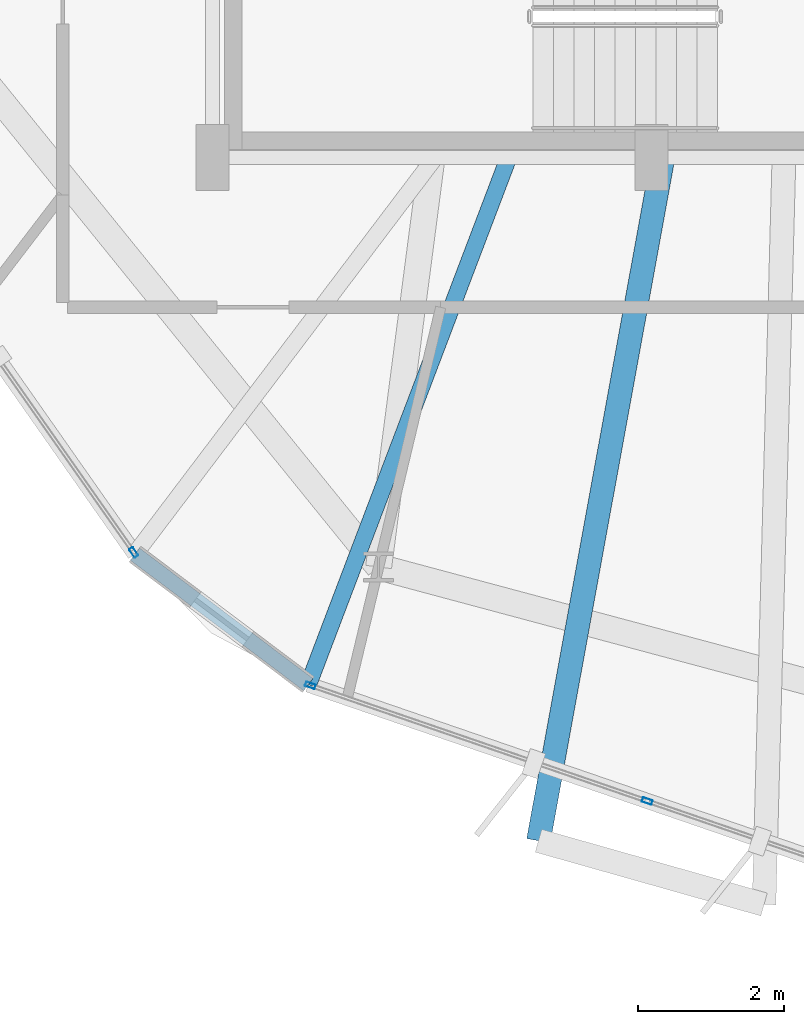
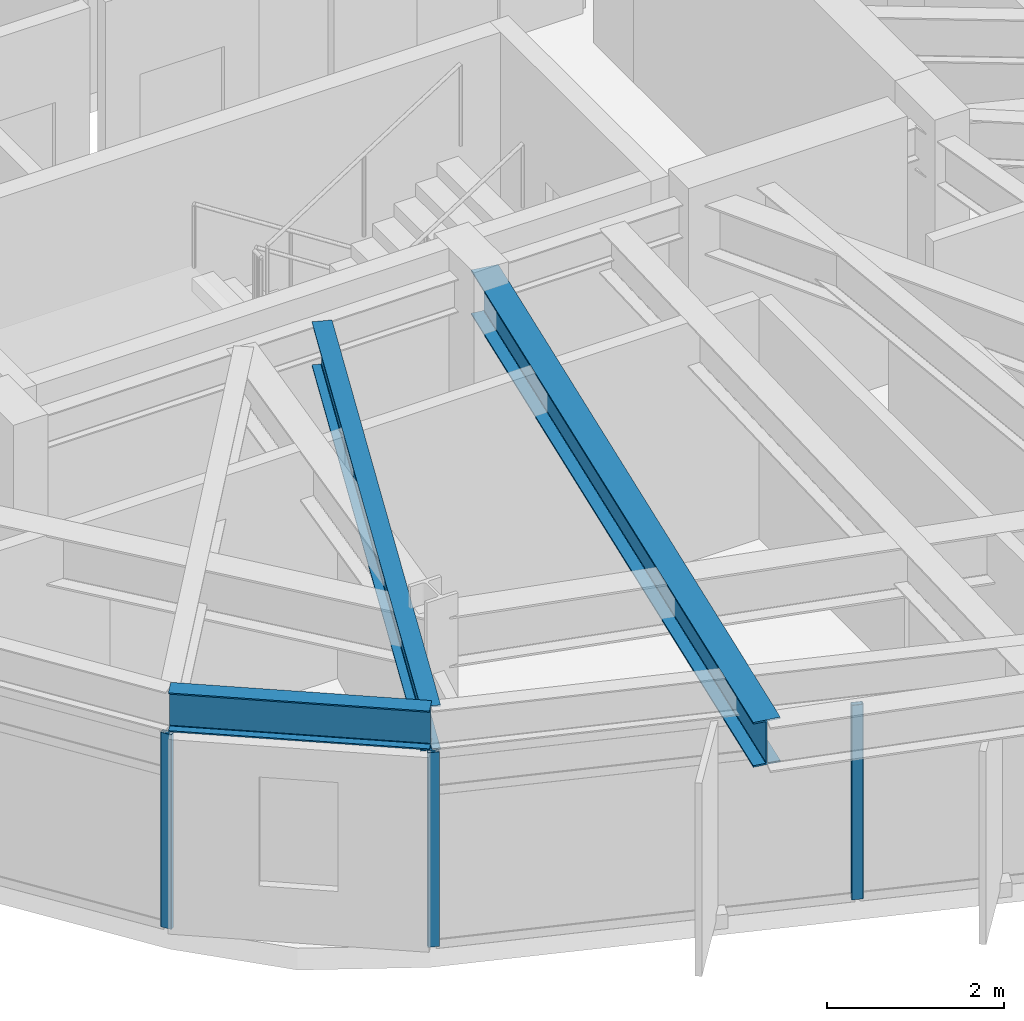
# One storey, part 2 of 29: 3 beams, 3 members, 2 elements without a shape of their own.
"""IFC4 building model written with IfcOpenShell, lengths in metres."""

from ifc_helpers import new_model, si_unit, direction, frame, origin, origin_2d, place, context, subcontext, project, spatial, hollow_rectangle, i_section, extrude, material, layer, layer_set, material_profile, profile_set, type_object, element, aggregate, save


model = new_model("IFC4")

# Units and contexts
model_context = context("Model", 3, precision=1e-05, world=origin(), true_north=direction((0.0, 1.0)))
body_context = subcontext(model_context, "Body", "Model", "MODEL_VIEW")
ifc_project = project(units=[si_unit("LENGTHUNIT", "METRE"), si_unit("AREAUNIT", "SQUARE_METRE"), si_unit("VOLUMEUNIT", "CUBIC_METRE"), si_unit("PLANEANGLEUNIT", "RADIAN"), si_unit("MASSUNIT", "GRAM", prefix="KILO")], contexts=[model_context])

# Site, building, storey
site_placement = place(None, origin())
site = spatial("IfcSite", under=ifc_project, at=site_placement, CompositionType="ELEMENT")
building_placement = place(site_placement, origin())
building = spatial("IfcBuilding", under=site, at=building_placement, Name="Soratama Intermodal Tower", CompositionType="ELEMENT")
storey_placement = place(building_placement, frame((0.0, 0.0, 226.60009765625)))
storey = spatial("IfcBuildingStorey", under=building, at=storey_placement, Name="L57", CompositionType="ELEMENT", Elevation=226.60009765625)

# Beams
ifc_material_1 = material(Name="Structural steel ASTM A992 Grade 50", Category="steel")
ifc_material_profile_1 = material_profile(ifc_material_1, i_section(OverallWidth=0.324951171875, OverallDepth=0.615966796875, WebThickness=0.013916015625, FlangeThickness=0.021484375, FilletRadius=0.013916015625, at=origin_2d()), Name="W24X117")
ifc_profile_set_1 = profile_set([ifc_material_profile_1], Name="Structural steel ASTM A992 Grade 50")
beam_type_1 = type_object("IfcBeamType", Name="BM-CANT-W24X117", PredefinedType="BEAM", material=ifc_profile_set_1)
beam_1_placement = place(storey_placement, frame((38.7509765625, 14.9609375, 2.991943359375), z_axis=(-0.179373937077, -0.98378096683, 0.0), x_axis=(0.98378096683, -0.179373937077, 0.0)))
element("IfcBeam", 1, at=beam_1_placement, inside=storey, type_object=beam_type_1, Name="BM-L57-CANT-3-1", PredefinedType="BEAM", context=body_context, shape_type="SweptSolid", body=[
    extrude(i_section(OverallWidth=0.324951171875, OverallDepth=0.615966796875, WebThickness=0.013916015625, FlangeThickness=0.021484375, FilletRadius=0.013916015625, at=origin_2d()), origin(), (0.0, 0.0, 1.0), 9.455322265625),
])
ifc_material_2 = material(Name="Structural steel ASTM A992 Grade 50", Category="steel")
ifc_material_profile_2 = material_profile(ifc_material_2, i_section(OverallWidth=0.2099609375, OverallDepth=0.537109375, WebThickness=0.010986328125, FlangeThickness=0.017333984375, FilletRadius=0.012939453125, at=origin_2d()), Name="W21X68")
ifc_profile_set_2 = profile_set([ifc_material_profile_2], Name="Structural steel ASTM A992 Grade 50")
beam_type_2 = type_object("IfcBeamType", Name="BM-SPN-W21X68", PredefinedType="SPANDREL", material=ifc_profile_set_2)
beam_2_placement = place(storey_placement, frame((31.5380859375, 9.576904296875, 3.031494140625), z_axis=(0.79906098347, -0.601249985194, 0.0), x_axis=(0.601249985194, 0.79906098347, 0.0)))
element("IfcBeam", 2, at=beam_2_placement, inside=storey, type_object=beam_type_2, Name="BS-L57-CRN05", PredefinedType="SPANDREL", context=body_context, shape_type="SweptSolid", body=[
    extrude(i_section(OverallWidth=0.2099609375, OverallDepth=0.537109375, WebThickness=0.010986328125, FlangeThickness=0.017333984375, FilletRadius=0.012939453125, at=origin_2d()), origin(), (0.0, 0.0, 1.0), 2.967041015625),
])
ifc_material_3 = material(Name="Structural steel ASTM A992 Grade 50", Category="steel")
ifc_material_profile_3 = material_profile(ifc_material_3, i_section(OverallWidth=0.22900390625, OverallDepth=0.612060546875, WebThickness=0.011962890625, FlangeThickness=0.01953125, FilletRadius=0.012939453125, at=origin_2d()), Name="W24X84")
ifc_profile_set_3 = profile_set([ifc_material_profile_3], Name="Structural steel ASTM A992 Grade 50")
beam_type_3 = type_object("IfcBeamType", Name="BM-TIE-W24X84", PredefinedType="BEAM", material=ifc_profile_set_3)
beam_3_placement = place(storey_placement, frame((36.633056640625, 14.962890625, 2.993896484375), z_axis=(-0.355166581808, -0.934803026935, 0.0), x_axis=(0.934803026935, -0.355166581808, 0.0)))
element("IfcBeam", 3, at=beam_3_placement, inside=storey, type_object=beam_type_3, Name="BM-L57-TIE0-06", PredefinedType="BEAM", context=body_context, shape_type="SweptSolid", body=[
    extrude(i_section(OverallWidth=0.22900390625, OverallDepth=0.612060546875, WebThickness=0.011962890625, FlangeThickness=0.01953125, FilletRadius=0.012939453125, at=origin_2d()), origin(), (0.0, 0.0, 1.0), 7.669921875),
])

# Curtain wall, member
ifc_material_4 = material(Name="Double-glazed aluminium curtain wall", Category="aluminium")
ifc_layer = layer(ifc_material_4, 0.159912109375)
ifc_layer_set = layer_set([ifc_layer], Name="Double-glazed aluminium curtain wall")
curtain_wall_type = type_object("IfcCurtainWallType", Name="CW-SYS-5", PredefinedType="NOTDEFINED", material=ifc_layer_set)
curtain_wall_1_placement = place(storey_placement, origin())
curtain_wall_1 = element("IfcCurtainWall", 4, at=curtain_wall_1_placement, inside=storey, type_object=curtain_wall_type, Name="L57 Faceted Curtain Wall F05", PredefinedType="NOTDEFINED")
ifc_material_5 = material(Name="Anodised aluminium AA 6063-T6", Category="aluminium")
ifc_material_profile_4 = material_profile(ifc_material_5, hollow_rectangle(XDim=0.06494140625, YDim=0.139892578125, WallThickness=0.0048828125, InnerFilletRadius=0.0048828125, OuterFilletRadius=0.010009765625, at=origin_2d()), Name="CWM140X65X5")
ifc_profile_set_4 = profile_set([ifc_material_profile_4], Name="Anodised aluminium AA 6063-T6")
member_type = type_object("IfcMemberType", Name="MT-CWM-5", PredefinedType="MULLION", material=ifc_profile_set_4)
member_1_placement = place(storey_placement, frame((31.52099609375, 9.601318359375, 0.0), z_axis=(0.0, 0.0, 1.0), x_axis=(0.818750210782, 0.574149886653, 0.0)))
member_1 = element("IfcMember", 5, at=member_1_placement, type_object=member_type, Name="CW-5 mullion 3", PredefinedType="MULLION", context=body_context, shape_type="SweptSolid", body=[
    extrude(hollow_rectangle(XDim=0.06494140625, YDim=0.139892578125, WallThickness=0.0048828125, InnerFilletRadius=0.0048828125, OuterFilletRadius=0.010009765625, at=origin_2d()), origin(), (0.0, 0.0, 1.0), 2.678955078125),
])
aggregate(curtain_wall_1, [member_1])

# Curtain wall, members
curtain_wall_2_placement = place(storey_placement, origin())
curtain_wall_2 = element("IfcCurtainWall", 6, at=curtain_wall_2_placement, inside=storey, type_object=curtain_wall_type, Name="L57 Faceted Curtain Wall F06", PredefinedType="NOTDEFINED")
member_2_placement = place(storey_placement, frame((33.93701171875, 7.783203125, 0.0), z_axis=(0.0, 0.0, 1.0), x_axis=(0.324904335473, 0.945746886218, 0.0)))
member_2 = element("IfcMember", 7, at=member_2_placement, type_object=member_type, Name="CW-5 mullion 1", PredefinedType="MULLION", context=body_context, shape_type="SweptSolid", body=[
    extrude(hollow_rectangle(XDim=0.06494140625, YDim=0.139892578125, WallThickness=0.0048828125, InnerFilletRadius=0.0048828125, OuterFilletRadius=0.010009765625, at=origin_2d()), origin(), (0.0, 0.0, 1.0), 2.678955078125),
])
member_3_placement = place(storey_placement, frame((38.541748046875, 6.201416015625, 0.0), z_axis=(0.0, 0.0, 1.0), x_axis=(0.324904335473, 0.945746886218, 0.0)))
member_3 = element("IfcMember", 8, at=member_3_placement, type_object=member_type, Name="CW-5 mullion 2", PredefinedType="MULLION", context=body_context, shape_type="SweptSolid", body=[
    extrude(hollow_rectangle(XDim=0.06494140625, YDim=0.139892578125, WallThickness=0.0048828125, InnerFilletRadius=0.0048828125, OuterFilletRadius=0.010009765625, at=origin_2d()), origin(), (0.0, 0.0, 1.0), 2.678955078125),
])
aggregate(curtain_wall_2, [member_2, member_3])

save(model, "model.ifc")
